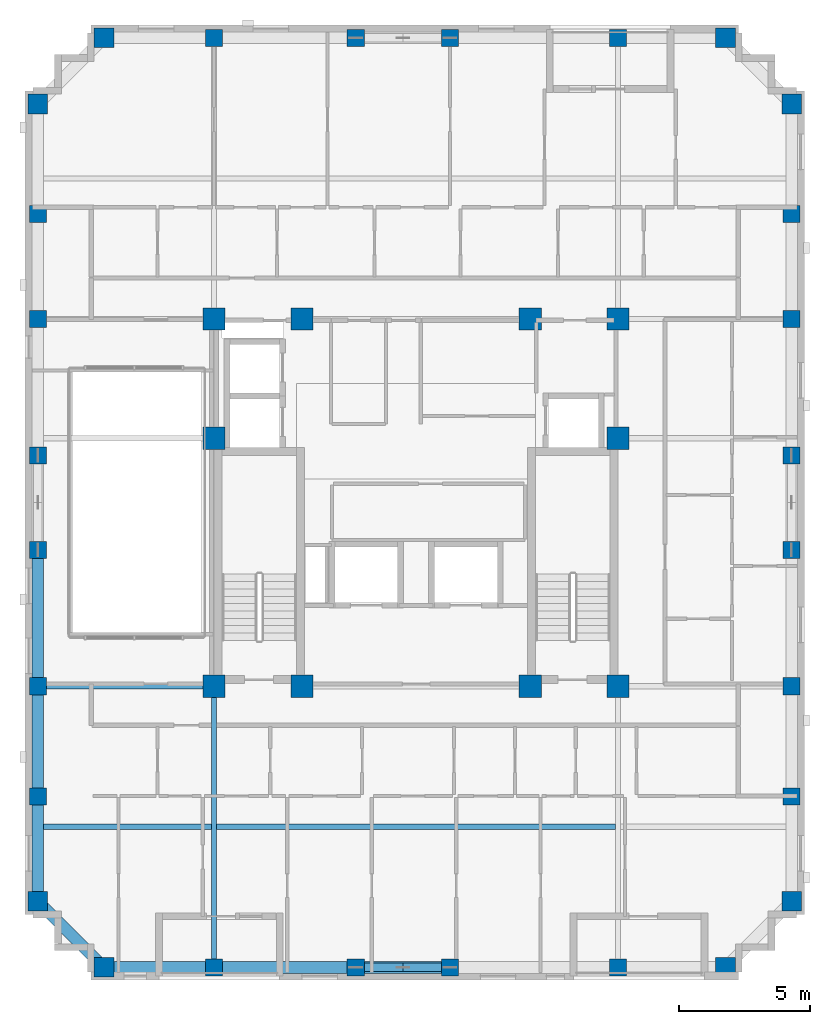
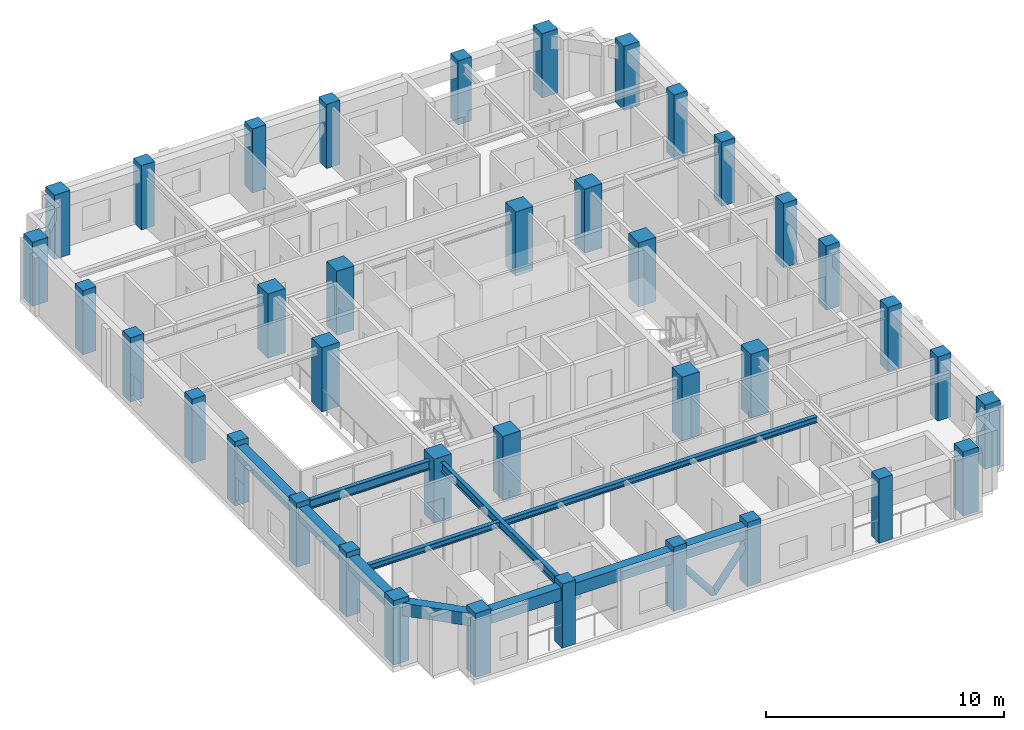
# One storey, part 1 of 12: 38 columns, 11 beams, 2 members.
"""IFC4 building model written with IfcOpenShell, lengths in metres."""

from ifc_helpers import new_model, si_unit, derived_unit, direction, frame, origin, origin_2d, place, context, subcontext, project, spatial, rectangle, hollow_circle, i_section, extrude, material, material_profile, profile_set, type_object, element, save


model = new_model("IFC4")

# Units and contexts
model_context = context("Model", 3, precision=1e-05, world=origin(), true_north=direction((0.0, 1.0)))
body_context = subcontext(model_context, "Body", "Model", "MODEL_VIEW")
ifc_project = project(units=[si_unit("LENGTHUNIT", "METRE"), si_unit("AREAUNIT", "SQUARE_METRE"), si_unit("VOLUMEUNIT", "CUBIC_METRE"), si_unit("PLANEANGLEUNIT", "RADIAN"), si_unit("MASSUNIT", "GRAM", prefix="KILO"), derived_unit("THERMALTRANSMITTANCEUNIT", [(si_unit("MASSUNIT", "GRAM", prefix="KILO"), 1), (si_unit("TIMEUNIT", "SECOND"), -3), (si_unit("THERMODYNAMICTEMPERATUREUNIT", "KELVIN"), -1)])], contexts=[model_context])

# Site, building, storey
site_placement = place(None, origin())
site = spatial("IfcSite", under=ifc_project, at=site_placement, CompositionType="ELEMENT")
building_placement = place(site_placement, origin())
building = spatial("IfcBuilding", under=site, at=building_placement, Name="Korrvale Station Residences", CompositionType="ELEMENT")
storey_placement = place(building_placement, frame((0.0, 0.0, 184.300048828125)))
storey = spatial("IfcBuildingStorey", under=building, at=storey_placement, Name="L53", CompositionType="ELEMENT", Elevation=184.300048828125)

# Columns
ifc_material_1 = material(Name="Concrete C50/60", Category="concrete")
ifc_material_profile_1 = material_profile(ifc_material_1, rectangle(XDim=0.64990234375, YDim=0.64990234375, at=origin_2d()), Name="RC650x650")
ifc_profile_set_1 = profile_set([ifc_material_profile_1], Name="Concrete C50/60")
column_type_1 = type_object("IfcColumnType", Name="COL-C-RC650x650-C5060", PredefinedType="COLUMN", material=ifc_profile_set_1)
for number, where, z_axis, x_axis, name in (
    (1, (17.800048828125, 4.280029296875, 0.0), (0.0, 0.0, 1.0), (1.0, 0.0, 0.0), "L53 Bundled-Tube South Column 02"),
    (2, (23.199951171875, 4.280029296875, 0.0), (0.0, 0.0, 1.0), (1.0, 0.0, 0.0), "L53 Bundled-Tube South Column 03"),
    (3, (26.800048828125, 4.280029296875, 0.0), (0.0, 0.0, 1.0), (1.0, 0.0, 0.0), "L53 Bundled-Tube South Column 04"),
    (4, (33.199951171875, 4.280029296875, 0.0), (0.0, 0.0, 1.0), (1.0, 0.0, 0.0), "L53 Bundled-Tube South Column 05"),
    (5, (17.800048828125, 39.719970703125, 0.0), (0.0, 0.0, 1.0), (1.0, 0.0, 0.0), "L53 Bundled-Tube North Column 08"),
    (6, (23.199951171875, 39.719970703125, 0.0), (0.0, 0.0, 1.0), (1.0, 0.0, 0.0), "L53 Bundled-Tube North Column 09"),
    (7, (26.800048828125, 39.719970703125, 0.0), (0.0, 0.0, 1.0), (1.0, 0.0, 0.0), "L53 Bundled-Tube North Column 10"),
    (8, (33.199951171875, 39.719970703125, 0.0), (0.0, 0.0, 1.0), (1.0, 0.0, 0.0), "L53 Bundled-Tube North Column 11"),
    (9, (11.080078125, 10.800048828125, 0.0), (0.0, 0.0, 1.0), (1.0, 0.0, 0.0), "L53 Bundled-Tube West Column 14"),
    (10, (11.080078125, 15.0, 0.0), (0.0, 0.0, 1.0), (1.0, 0.0, 0.0), "L53 Bundled-Tube West Column 15"),
    (11, (11.080078125, 20.199951171875, 0.0), (0.0, 0.0, 1.0), (1.0, 0.0, 0.0), "L53 Bundled-Tube West Column 16"),
    (12, (11.080078125, 23.800048828125, 0.0), (0.0, 0.0, 1.0), (1.0, 0.0, 0.0), "L53 Bundled-Tube West Column 17"),
    (13, (11.080078125, 29.0, 0.0), (0.0, 0.0, 1.0), (1.0, 0.0, 0.0), "L53 Bundled-Tube West Column 18"),
    (14, (11.080078125, 33.0, 0.0), (0.0, 0.0, 1.0), (1.0, 0.0, 0.0), "L53 Bundled-Tube West Column 19"),
    (15, (39.820068359375, 10.800048828125, 0.0), (0.0, 0.0, 1.0), (1.0, 0.0, 0.0), "L53 Bundled-Tube East Column 22"),
    (16, (39.820068359375, 15.0, 0.0), (0.0, 0.0, 1.0), (1.0, 0.0, 0.0), "L53 Bundled-Tube East Column 23"),
    (17, (39.820068359375, 20.199951171875, 0.0), (0.0, 0.0, 1.0), (1.0, 0.0, 0.0), "L53 Bundled-Tube East Column 24"),
    (18, (39.820068359375, 23.800048828125, 0.0), (0.0, 0.0, 1.0), (1.0, 0.0, 0.0), "L53 Bundled-Tube East Column 25"),
    (19, (39.820068359375, 29.0, 0.0), (0.0, 0.0, 1.0), (1.0, 0.0, 0.0), "L53 Bundled-Tube East Column 26"),
    (20, (39.820068359375, 33.0, 0.0), (0.0, 0.0, 1.0), (1.0, 0.0, 0.0), "L53 Bundled-Tube East Column 27"),
):
    element("IfcColumn", number, at=place(storey_placement, frame(where, z_axis=z_axis, x_axis=x_axis)), inside=storey, type_object=column_type_1, Name=name, PredefinedType="COLUMN", context=body_context, shape_type="SweptSolid", body=[
        extrude(rectangle(XDim=0.64990234375, YDim=0.64990234375, at=origin_2d()), origin(), (0.0, 0.0, 1.0), 3.300048828125),
    ])
ifc_material_profile_2 = material_profile(ifc_material_1, rectangle(XDim=0.75, YDim=0.75, at=origin_2d()), Name="RC750x750")
ifc_profile_set_2 = profile_set([ifc_material_profile_2], Name="Concrete C50/60")
column_type_2 = type_object("IfcColumnType", Name="COL-C-RC750x750-C5060", PredefinedType="COLUMN", material=ifc_profile_set_2)
for number, where, z_axis, x_axis, name in (
    (21, (13.60009765625, 4.280029296875, 0.0), (0.0, 0.0, 1.0), (1.0, 0.0, 0.0), "L53 Bundled-Tube South Column 01"),
    (22, (37.300048828125, 4.280029296875, 0.0), (0.0, 0.0, 1.0), (1.0, 0.0, 0.0), "L53 Bundled-Tube South Column 06"),
    (23, (13.60009765625, 39.719970703125, 0.0), (0.0, 0.0, 1.0), (1.0, 0.0, 0.0), "L53 Bundled-Tube North Column 07"),
    (24, (37.300048828125, 39.719970703125, 0.0), (0.0, 0.0, 1.0), (1.0, 0.0, 0.0), "L53 Bundled-Tube North Column 12"),
    (25, (11.080078125, 6.800048828125, 0.0), (0.0, 0.0, 1.0), (1.0, 0.0, 0.0), "L53 Bundled-Tube West Column 13"),
    (26, (11.080078125, 37.199951171875, 0.0), (0.0, 0.0, 1.0), (1.0, 0.0, 0.0), "L53 Bundled-Tube West Column 20"),
    (27, (39.820068359375, 6.800048828125, 0.0), (0.0, 0.0, 1.0), (1.0, 0.0, 0.0), "L53 Bundled-Tube East Column 21"),
    (28, (39.820068359375, 37.199951171875, 0.0), (0.0, 0.0, 1.0), (1.0, 0.0, 0.0), "L53 Bundled-Tube East Column 28"),
):
    element("IfcColumn", number, at=place(storey_placement, frame(where, z_axis=z_axis, x_axis=x_axis)), inside=storey, type_object=column_type_2, Name=name, PredefinedType="COLUMN", context=body_context, shape_type="SweptSolid", body=[
        extrude(rectangle(XDim=0.75, YDim=0.75, at=origin_2d()), origin(), (0.0, 0.0, 1.0), 3.300048828125),
    ])
ifc_material_profile_3 = material_profile(ifc_material_1, rectangle(XDim=0.85009765625, YDim=0.85009765625, at=origin_2d()), Name="RC850x850")
ifc_profile_set_3 = profile_set([ifc_material_profile_3], Name="Concrete C50/60")
column_type_3 = type_object("IfcColumnType", Name="COL-C-RC850x850-C5060", PredefinedType="COLUMN", material=ifc_profile_set_3)
for number, where, z_axis, x_axis, name in (
    (29, (17.800048828125, 15.0, 0.0), (0.0, 0.0, 1.0), (1.0, 0.0, 0.0), "L53 Core Column 01"),
    (30, (21.14990234375, 15.0, 0.0), (0.0, 0.0, 1.0), (1.0, 0.0, 0.0), "L53 Core Column 02"),
    (31, (29.85009765625, 15.0, 0.0), (0.0, 0.0, 1.0), (1.0, 0.0, 0.0), "L53 Core Column 03"),
    (32, (33.199951171875, 15.0, 0.0), (0.0, 0.0, 1.0), (1.0, 0.0, 0.0), "L53 Core Column 04"),
    (33, (17.800048828125, 29.0, 0.0), (0.0, 0.0, 1.0), (1.0, 0.0, 0.0), "L53 Core Column 05"),
    (34, (21.14990234375, 29.0, 0.0), (0.0, 0.0, 1.0), (1.0, 0.0, 0.0), "L53 Core Column 06"),
    (35, (29.85009765625, 29.0, 0.0), (0.0, 0.0, 1.0), (1.0, 0.0, 0.0), "L53 Core Column 07"),
    (36, (33.199951171875, 29.0, 0.0), (0.0, 0.0, 1.0), (1.0, 0.0, 0.0), "L53 Core Column 08"),
    (37, (17.800048828125, 24.449951171875, 0.0), (0.0, 0.0, 1.0), (1.0, 0.0, 0.0), "L53 Core Column 09"),
    (38, (33.199951171875, 24.449951171875, 0.0), (0.0, 0.0, 1.0), (1.0, 0.0, 0.0), "L53 Core Column 10"),
):
    element("IfcColumn", number, at=place(storey_placement, frame(where, z_axis=z_axis, x_axis=x_axis)), inside=storey, type_object=column_type_3, Name=name, PredefinedType="COLUMN", context=body_context, shape_type="SweptSolid", body=[
        extrude(rectangle(XDim=0.85009765625, YDim=0.85009765625, at=origin_2d()), origin(), (0.0, 0.0, 1.0), 3.300048828125),
    ])

# Beams
ifc_material_2 = material(Name="Steel S355", Category="steel")
ifc_material_profile_4 = material_profile(ifc_material_2, i_section(OverallWidth=0.194091796875, OverallDepth=0.468994140625, WebThickness=0.0126953125, FlangeThickness=0.0205078125, FilletRadius=0.01611328125, at=origin_2d()), Name="W460x106")
ifc_profile_set_4 = profile_set([ifc_material_profile_4], Name="Steel S355")
beam_type_1 = type_object("IfcBeamType", Name="BM-BM-W460x106-S355", PredefinedType="BEAM", material=ifc_profile_set_4)
beam_1_placement = place(storey_placement, frame((17.800048828125, 4.280029296875, 2.805419921875), z_axis=(0.0, 1.0, 0.0), x_axis=(-1.0, 0.0, 0.0)))
element("IfcBeam", 39, at=beam_1_placement, inside=storey, type_object=beam_type_1, Name="L53 Bundled-Tube Web Girder 01", PredefinedType="BEAM", context=body_context, shape_type="SweptSolid", body=[
    extrude(i_section(OverallWidth=0.194091796875, OverallDepth=0.468994140625, WebThickness=0.0126953125, FlangeThickness=0.0205078125, FilletRadius=0.01611328125, at=origin_2d()), origin(), (0.0, 0.0, 1.0), 10.719970703125),
])
beam_2_placement = place(storey_placement, frame((11.080078125, 15.0, 2.805419921875), z_axis=(1.0, 0.0, 0.0), x_axis=(0.0, 1.0, 0.0)))
element("IfcBeam", 40, at=beam_2_placement, inside=storey, type_object=beam_type_1, Name="L53 Bundled-Tube Web Girder 05", PredefinedType="BEAM", context=body_context, shape_type="SweptSolid", body=[
    extrude(i_section(OverallWidth=0.194091796875, OverallDepth=0.468994140625, WebThickness=0.0126953125, FlangeThickness=0.0205078125, FilletRadius=0.01611328125, at=origin_2d()), origin(), (0.0, 0.0, 1.0), 6.719970703125),
])
ifc_material_profile_5 = material_profile(ifc_material_2, i_section(OverallWidth=0.202880859375, OverallDepth=0.302978515625, WebThickness=0.007568359375, FlangeThickness=0.01318359375, FilletRadius=0.014892578125, at=origin_2d()), Name="W310x60")
ifc_profile_set_5 = profile_set([ifc_material_profile_5], Name="Steel S355")
beam_type_2 = type_object("IfcBeamType", Name="BM-JST-W310x60-S355", PredefinedType="JOIST", material=ifc_profile_set_5)
beam_3_placement = place(storey_placement, frame((11.304931640625, 9.639892578125, 2.888427734375), z_axis=(1.0, 0.0, 0.0), x_axis=(0.0, 1.0, 0.0)))
element("IfcBeam", 41, at=beam_3_placement, inside=storey, type_object=beam_type_2, Name="L53 Floor Framing Joist 01", PredefinedType="JOIST", context=body_context, shape_type="SweptSolid", body=[
    extrude(i_section(OverallWidth=0.202880859375, OverallDepth=0.302978515625, WebThickness=0.007568359375, FlangeThickness=0.01318359375, FilletRadius=0.014892578125, at=origin_2d()), origin(), (0.0, 0.0, 1.0), 6.39794921875),
])
beam_4_placement = place(storey_placement, frame((17.89697265625, 9.639892578125, 2.888427734375), z_axis=(1.0, 0.0, 0.0), x_axis=(0.0, 1.0, 0.0)))
element("IfcBeam", 42, at=beam_4_placement, inside=storey, type_object=beam_type_2, Name="L53 Floor Framing Joist 02", PredefinedType="JOIST", context=body_context, shape_type="SweptSolid", body=[
    extrude(i_section(OverallWidth=0.202880859375, OverallDepth=0.302978515625, WebThickness=0.007568359375, FlangeThickness=0.01318359375, FilletRadius=0.014892578125, at=origin_2d()), origin(), (0.0, 0.0, 1.0), 15.2060546875),
])
ifc_material_profile_6 = material_profile(ifc_material_1, rectangle(XDim=0.449951171875, YDim=0.64990234375, at=origin_2d()), Name="RCB450x650")
ifc_profile_set_6 = profile_set([ifc_material_profile_6], Name="Concrete C50/60")
beam_type_3 = type_object("IfcBeamType", Name="BM-SPB-RCB450x650-C5060", PredefinedType="SPANDREL", material=ifc_profile_set_6)
beam_5_placement = place(storey_placement, frame((13.60009765625, 4.280029296875, 2.71484375), z_axis=(1.0, 0.0, 0.0), x_axis=(0.0, 1.0, 0.0)))
element("IfcBeam", 43, at=beam_5_placement, inside=storey, type_object=beam_type_3, Name="L53 South Tube Spandrel 01", PredefinedType="SPANDREL", context=body_context, shape_type="SweptSolid", body=[
    extrude(rectangle(XDim=0.449951171875, YDim=0.64990234375, at=origin_2d()), origin(), (0.0, 0.0, 1.0), 4.199951171875),
])
beam_6_placement = place(storey_placement, frame((17.800048828125, 4.280029296875, 2.71484375), z_axis=(1.0, 0.0, 0.0), x_axis=(0.0, 1.0, 0.0)))
element("IfcBeam", 44, at=beam_6_placement, inside=storey, type_object=beam_type_3, Name="L53 South Tube Spandrel 02", PredefinedType="SPANDREL", context=body_context, shape_type="SweptSolid", body=[
    extrude(rectangle(XDim=0.449951171875, YDim=0.64990234375, at=origin_2d()), origin(), (0.0, 0.0, 1.0), 5.39990234375),
])
beam_7_placement = place(storey_placement, frame((23.199951171875, 4.280029296875, 2.71484375), z_axis=(1.0, 0.0, 0.0), x_axis=(0.0, 1.0, 0.0)))
element("IfcBeam", 45, at=beam_7_placement, inside=storey, type_object=beam_type_3, Name="L53 South Tube Spandrel 03", PredefinedType="SPANDREL", context=body_context, shape_type="SweptSolid", body=[
    extrude(rectangle(XDim=0.449951171875, YDim=0.64990234375, at=origin_2d()), origin(), (0.0, 0.0, 1.0), 3.60009765625),
])
beam_8_placement = place(storey_placement, frame((11.080078125, 6.800048828125, 2.71484375), z_axis=(0.0, 1.0, 0.0), x_axis=(-1.0, 0.0, 0.0)))
element("IfcBeam", 46, at=beam_8_placement, inside=storey, type_object=beam_type_3, Name="L53 West Tube Spandrel 11", PredefinedType="SPANDREL", context=body_context, shape_type="SweptSolid", body=[
    extrude(rectangle(XDim=0.449951171875, YDim=0.64990234375, at=origin_2d()), origin(), (0.0, 0.0, 1.0), 4.0),
])
beam_9_placement = place(storey_placement, frame((11.080078125, 10.800048828125, 2.71484375), z_axis=(0.0, 1.0, 0.0), x_axis=(-1.0, 0.0, 0.0)))
element("IfcBeam", 47, at=beam_9_placement, inside=storey, type_object=beam_type_3, Name="L53 West Tube Spandrel 12", PredefinedType="SPANDREL", context=body_context, shape_type="SweptSolid", body=[
    extrude(rectangle(XDim=0.449951171875, YDim=0.64990234375, at=origin_2d()), origin(), (0.0, 0.0, 1.0), 4.199951171875),
])
beam_10_placement = place(storey_placement, frame((11.080078125, 15.0, 2.71484375), z_axis=(0.0, 1.0, 0.0), x_axis=(-1.0, 0.0, 0.0)))
element("IfcBeam", 48, at=beam_10_placement, inside=storey, type_object=beam_type_3, Name="L53 West Tube Spandrel 13", PredefinedType="SPANDREL", context=body_context, shape_type="SweptSolid", body=[
    extrude(rectangle(XDim=0.449951171875, YDim=0.64990234375, at=origin_2d()), origin(), (0.0, 0.0, 1.0), 5.199951171875),
])
beam_11_placement = place(storey_placement, frame((13.60009765625, 4.280029296875, 2.71484375), z_axis=(-0.707106781187, 0.707106781187, 0.0), x_axis=(-0.707106781187, -0.707106781187, 0.0)))
element("IfcBeam", 49, at=beam_11_placement, inside=storey, type_object=beam_type_3, Name="L53 Serrated Corner Spandrel 25", PredefinedType="SPANDREL", context=body_context, shape_type="SweptSolid", body=[
    extrude(rectangle(XDim=0.449951171875, YDim=0.64990234375, at=origin_2d()), origin(), (0.0, 0.0, 1.0), 3.56396484375),
])

# Members
ifc_material_profile_7 = material_profile(ifc_material_2, hollow_circle(Radius=0.161865234375, WallThickness=0.015869140625, at=origin_2d()), Name="HSS324x16")
ifc_profile_set_7 = profile_set([ifc_material_profile_7], Name="Steel S355")
member_type = type_object("IfcMemberType", Name="MBR-BR-HSS324x16", PredefinedType="BRACE", material=ifc_profile_set_7)
for number, where, z_axis, x_axis, name in (
    (50, (25.0, 4.280029296875, 0.02001953125), (-0.617977009695, 0.0, 0.786196168579), (0.0, -1.0, 0.0), "L53 S Perimeter Tube Wind Brace 1"),
    (51, (25.0, 4.280029296875, 0.02001953125), (0.617977009695, 0.0, 0.786196168579), (0.0, 1.0, 0.0), "L53 S Perimeter Tube Wind Brace 2"),
):
    element("IfcMember", number, at=place(storey_placement, frame(where, z_axis=z_axis, x_axis=x_axis)), inside=storey, type_object=member_type, Name=name, PredefinedType="BRACE", context=body_context, shape_type="SweptSolid", body=[
        extrude(hollow_circle(Radius=0.161865234375, WallThickness=0.015869140625, at=origin_2d()), origin(), (0.0, 0.0, 1.0), 2.912841796875),
    ])

save(model, "model.ifc")
